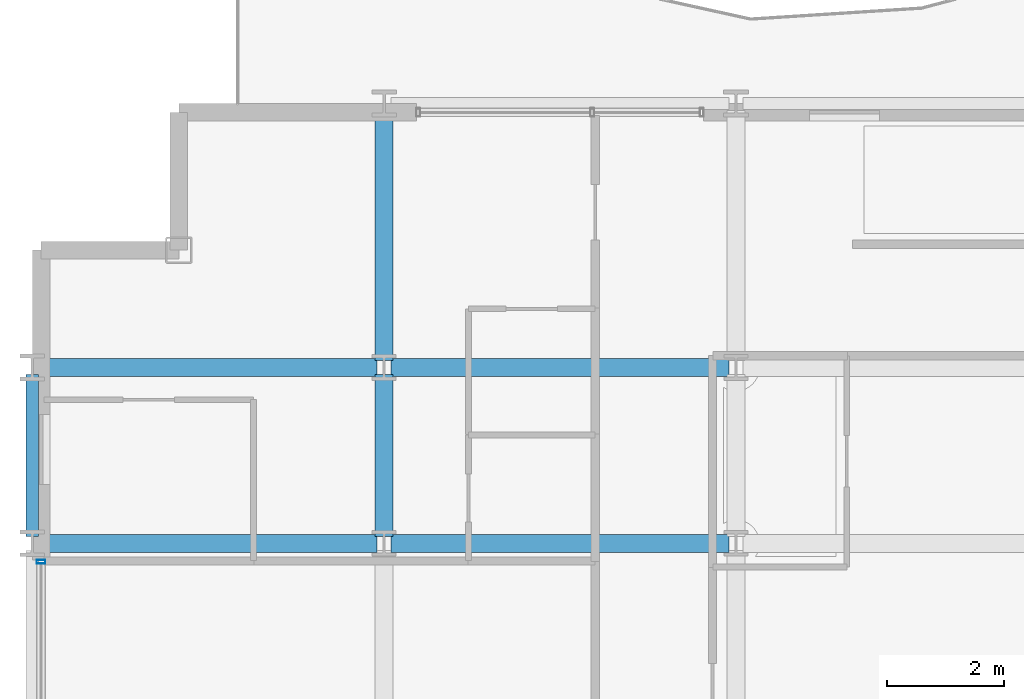
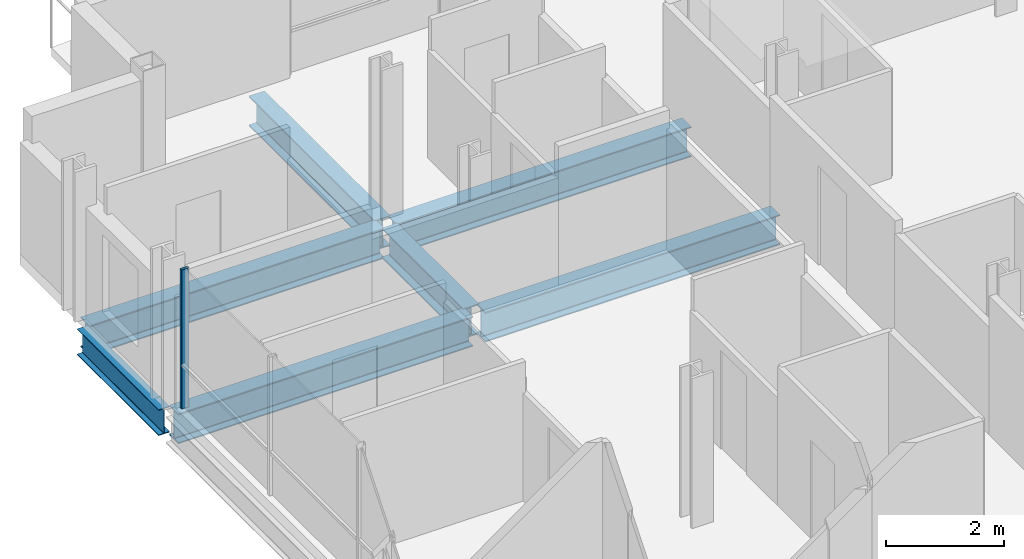
# One storey, part 7 of 41: 7 beams, 1 member, 1 element without a shape of its own.
"""IFC4 building model written with IfcOpenShell, lengths in metres."""

import ifcopenshell
import ifcopenshell.guid

model = None  # the IFC model being written
_history = None  # IfcOwnerHistory: only IFC2X3 demands one
_inside = {}  # id of a spatial element -> (the spatial element, [elements in it])
_under = {}  # id of a project, library or spatial element -> (it, [spatial elements below it])
_declared = {}  # id of a project -> (the project, [libraries it declares])
_typed = {}  # id of a type object -> (the type object, [elements of that type])
_made_of = {}  # id of a material, layer set ... -> (it, [elements and type objects made of it])


def new_model(schema):
    """Start an empty IFC model of exactly this schema.

    Asked for "IFC4X3", IfcOpenShell would pick the latest addendum, in which some entities
    have other attributes; the version numbers below select the first issue.
    IFC2X3 requires an IfcOwnerHistory on every rooted entity: one is made here for all.
    """
    global model, _history
    if schema == "IFC4X3":
        model = ifcopenshell.file(schema_version=(4, 3, 0, 0))
    else:
        model = ifcopenshell.file(schema=schema)
    _inside.clear()
    _under.clear()
    _declared.clear()
    _typed.clear()
    _made_of.clear()
    _history = None
    if model.schema == "IFC2X3":
        org = make("IfcOrganization", Name="unknown")
        user = make(
            "IfcPersonAndOrganization",
            ThePerson=make("IfcPerson", FamilyName="unknown"),
            TheOrganization=org,
        )
        app = make(
            "IfcApplication",
            ApplicationDeveloper=org,
            Version="unknown",
            ApplicationFullName="unknown",
            ApplicationIdentifier="unknown",
        )
        _history = make(
            "IfcOwnerHistory",
            OwningUser=user,
            OwningApplication=app,
            ChangeAction="ADDED",
            CreationDate=0,
        )
    return model


def make(cls, **values):
    """One entity of the class cls with the attributes given. An attribute that is None is left unset."""
    return model.create_entity(
        cls, **{name: value for name, value in values.items() if value is not None}
    )


def rooted(cls, **values):
    """An entity with a GlobalId (a new one), such as an element, a storey or a relation."""
    return make(cls, GlobalId=ifcopenshell.guid.new(), OwnerHistory=_history, **values)


def si_unit(unit_type, name, prefix=None):
    """IfcSIUnit, for example si_unit("LENGTHUNIT", "METRE", prefix="MILLI")."""
    return make("IfcSIUnit", UnitType=unit_type, Prefix=prefix, Name=name)


def assignment(units):
    """IfcUnitAssignment: the units of a project."""
    return None if units is None else make("IfcUnitAssignment", Units=units)


def point(xyz):
    """IfcCartesianPoint."""
    return None if xyz is None else make("IfcCartesianPoint", Coordinates=xyz)


def direction(xyz):
    """IfcDirection."""
    return None if xyz is None else make("IfcDirection", DirectionRatios=xyz)


def frame(location, z_axis=None, x_axis=None):
    """IfcAxis2Placement3D, a coordinate frame: its origin and axes. An axis left out is left unset."""
    return make(
        "IfcAxis2Placement3D",
        Location=point(location),
        Axis=direction(z_axis),
        RefDirection=direction(x_axis),
    )


def frame_2d(location, x_axis=None):
    """IfcAxis2Placement2D, a coordinate frame in the plane: its origin and x axis."""
    return make(
        "IfcAxis2Placement2D", Location=point(location), RefDirection=direction(x_axis)
    )


def origin():
    """The frame at (0, 0, 0) with its axes left unset."""
    return frame((0.0, 0.0, 0.0))


def origin_2d():
    """The frame at (0, 0) in the plane with its x axis left unset."""
    return frame_2d((0.0, 0.0))


def place(relative_to, where):
    """IfcLocalPlacement: puts the frame where relative to a parent placement (None: the world)."""
    return make(
        "IfcLocalPlacement", PlacementRelTo=relative_to, RelativePlacement=where
    )


def context(
    kind, dimensions, precision=None, world=None, true_north=None, identifier=None
):
    """IfcGeometricRepresentationContext, for example the 3D "Model" context."""
    return make(
        "IfcGeometricRepresentationContext",
        ContextIdentifier=identifier,
        ContextType=kind,
        CoordinateSpaceDimension=dimensions,
        Precision=precision,
        WorldCoordinateSystem=world,
        TrueNorth=true_north,
    )


def subcontext(parent, identifier, kind, view, scale=None):
    """IfcGeometricRepresentationSubContext, for example "Body" below "Model"."""
    return make(
        "IfcGeometricRepresentationSubContext",
        ContextIdentifier=identifier,
        ContextType=kind,
        ParentContext=parent,
        TargetScale=scale,
        TargetView=view,
    )


def project(units=None, contexts=None):
    """IfcProject with its units and contexts."""
    return rooted(
        "IfcProject",
        Name="project",
        RepresentationContexts=contexts,
        UnitsInContext=assignment(units),
    )


def spatial(cls, under=None, at=None, **own):
    """A site, building, storey or space (cls), placed at a placement, below another one or the project."""
    s = rooted(cls, ObjectPlacement=at, **own)
    if under is not None:
        _under.setdefault(under.id(), (under, []))[1].append(s)
    return s


def profile(cls, at=None, kind="AREA", **sizes):
    """A parametric profile (cls). Its sizes go by their IFC names, for example OverallWidth=200.0."""
    return make(cls, ProfileType=kind, Position=at, **sizes)


def hollow_rectangle(**sizes):
    """IfcRectangleHollowProfileDef."""
    return profile("IfcRectangleHollowProfileDef", **sizes)


def i_section(**sizes):
    """IfcIShapeProfileDef."""
    return profile("IfcIShapeProfileDef", **sizes)


def extrude(swept, where, along, depth):
    """IfcExtrudedAreaSolid: the profile swept, set in the frame where, extruded along a direction by depth."""
    return make(
        "IfcExtrudedAreaSolid",
        SweptArea=swept,
        Position=where,
        ExtrudedDirection=direction(along),
        Depth=depth,
    )


def shape(context_of_items, identifier, shape_type, items):
    """IfcShapeRepresentation: the items that make up one representation, for example the "Body"."""
    return make(
        "IfcShapeRepresentation",
        ContextOfItems=context_of_items,
        RepresentationIdentifier=identifier,
        RepresentationType=shape_type,
        Items=items,
    )


def material(Name=None, Category=None):
    """IfcMaterial."""
    return make("IfcMaterial", Name=Name, Category=Category)


def layer(
    of_material, thickness, ventilated=None, Name=None, Category=None, Priority=None
):
    """IfcMaterialLayer: one layer of a wall or slab, of a material (None: an air gap)."""
    return make(
        "IfcMaterialLayer",
        Material=of_material,
        LayerThickness=thickness,
        IsVentilated=ventilated,
        Name=Name,
        Category=Category,
        Priority=Priority,
    )


def layer_set(layers, Name=None):
    """IfcMaterialLayerSet."""
    return make("IfcMaterialLayerSet", MaterialLayers=layers, LayerSetName=Name)


def material_profile(
    of_material, cross_section, Name=None, Category=None, Priority=None
):
    """IfcMaterialProfile: a cross section and its material."""
    return make(
        "IfcMaterialProfile",
        Name=Name,
        Material=of_material,
        Profile=cross_section,
        Priority=Priority,
        Category=Category,
    )


def profile_set(profiles, Name=None, composite=None):
    """IfcMaterialProfileSet."""
    return make(
        "IfcMaterialProfileSet",
        Name=Name,
        MaterialProfiles=profiles,
        CompositeProfile=composite,
    )


def made_of(thing, what):
    """Note that an element or type object is made of a material, layer set ...; save() writes the relation."""
    if what is not None:
        _made_of.setdefault(what.id(), (what, []))[1].append(thing)
    return thing


def type_object(cls, material=None, **own):
    """A type object (cls), such as IfcWallType, which elements share."""
    return made_of(rooted(cls, **own), material)


def element(
    cls,
    number,
    at=None,
    inside=None,
    cuts=None,
    type_object=None,
    material=None,
    context=None,
    identifier="Body",
    shape_type=None,
    held_by="IfcProductDefinitionShape",
    body=None,
    shapes=None,
    **own,
):
    """One element of the class cls, such as IfcWall. Its Tag is "e" and its number.

    at: its placement. inside: the storey or other place that contains it. cuts: it is an
    opening in that element (IfcRelVoidsElement). A single representation is given by context,
    identifier, shape_type and body (its items); several are given by shapes. held_by: the class
    of the entity that holds the representations. save() writes the other relations.
    """
    e = rooted(cls, Tag="e%d" % number, ObjectPlacement=at, **own)
    if body is not None:
        shapes = [shape(context, identifier, shape_type, body)]
    if shapes is not None:
        e.Representation = make(held_by, Representations=shapes)
    if inside is not None:
        _inside.setdefault(inside.id(), (inside, []))[1].append(e)
    if cuts is not None:
        rooted(
            "IfcRelVoidsElement", RelatingBuildingElement=cuts, RelatedOpeningElement=e
        )
    if type_object is not None:
        _typed.setdefault(type_object.id(), (type_object, []))[1].append(e)
    return made_of(e, material)


def aggregate(whole, parts):
    """IfcRelAggregates: a whole, such as a stair, and the parts it consists of."""
    return rooted("IfcRelAggregates", RelatingObject=whole, RelatedObjects=parts)


def save(model, path):
    """Write the relations noted so far, then the file.

    IfcRelAggregates (storeys below a building ...), IfcRelContainedInSpatialStructure (elements
    in a storey), IfcRelDefinesByType, IfcRelAssociatesMaterial and IfcRelDeclares: one each for
    every whole, place, type object, material and project.
    """
    for whole, parts in _under.values():
        aggregate(whole, parts)
    for where, things in _inside.values():
        rooted(
            "IfcRelContainedInSpatialStructure",
            RelatedElements=things,
            RelatingStructure=where,
        )
    for kind, things in _typed.values():
        rooted("IfcRelDefinesByType", RelatedObjects=things, RelatingType=kind)
    for what, things in _made_of.values():
        rooted("IfcRelAssociatesMaterial", RelatedObjects=things, RelatingMaterial=what)
    for by, libraries in _declared.values():
        rooted("IfcRelDeclares", RelatingContext=by, RelatedDefinitions=libraries)
    model.write(path)


model = new_model("IFC4")

# Units and contexts
model_context = context("Model", 3, precision=1e-05, world=origin(), true_north=direction((0.0, 1.0)))
body_context = subcontext(model_context, "Body", "Model", "MODEL_VIEW")
ifc_project = project(units=[si_unit("LENGTHUNIT", "METRE"), si_unit("AREAUNIT", "SQUARE_METRE"), si_unit("VOLUMEUNIT", "CUBIC_METRE"), si_unit("PLANEANGLEUNIT", "RADIAN"), si_unit("MASSUNIT", "GRAM", prefix="KILO")], contexts=[model_context])

# Site, building, storey
site_placement = place(None, origin())
site = spatial("IfcSite", under=ifc_project, at=site_placement, CompositionType="ELEMENT")
building_placement = place(site_placement, origin())
building = spatial("IfcBuilding", under=site, at=building_placement, Name="Brevholm Reach", CompositionType="ELEMENT")
storey_placement = place(building_placement, frame((0.0, 0.0, 74.5)))
storey = spatial("IfcBuildingStorey", under=building, at=storey_placement, Name="L21", CompositionType="ELEMENT", Elevation=74.5)

# Beams
ifc_material_1 = material(Name="Structural Steel S355J2", Category="steel")
ifc_material_profile_1 = material_profile(ifc_material_1, i_section(OverallWidth=0.210693359375, OverallDepth=0.53955078125, WebThickness=0.01171875, FlangeThickness=0.018798828125, FilletRadius=0.0126953125, at=origin_2d()), Name="UKB 533x210x109")
ifc_profile_set_1 = profile_set([ifc_material_profile_1], Name="Structural Steel S355J2")
beam_type_1 = type_object("IfcBeamType", Name="BM-SP539", PredefinedType="SPANDREL", material=ifc_profile_set_1)
beam_1_placement = place(storey_placement, frame((0.0, 23.6201171875, -0.499755859375), z_axis=(0.0, 1.0, 0.0), x_axis=(-1.0, 0.0, 0.0)))
element("IfcBeam", 1, at=beam_1_placement, inside=storey, type_object=beam_type_1, Name="L21 SP-01B Framing Beam", PredefinedType="SPANDREL", context=body_context, shape_type="SweptSolid", body=[
    extrude(i_section(OverallWidth=0.210693359375, OverallDepth=0.53955078125, WebThickness=0.01171875, FlangeThickness=0.018798828125, FilletRadius=0.0126953125, at=origin_2d()), origin(), (0.0, 0.0, 1.0), 2.759765625),
])
ifc_material_2 = material(Name="Structural Steel S355J2", Category="steel")
ifc_material_profile_2 = material_profile(ifc_material_2, i_section(OverallWidth=0.30712890625, OverallDepth=0.6201171875, WebThickness=0.01416015625, FlangeThickness=0.023681640625, FilletRadius=0.0166015625, at=origin_2d()), Name="UKB 610x305x179")
ifc_profile_set_2 = profile_set([ifc_material_profile_2], Name="Structural Steel S355J2")
beam_type_2 = type_object("IfcBeamType", Name="BM-UKB610H", PredefinedType="USERDEFINED", material=ifc_profile_set_2)
for number, where, z_axis, x_axis, name in (
    (2, (0.1201171875, 23.5, -0.5400390625), (1.0, 0.0, 0.0), (0.0, 1.0, 0.0), "L21 G-06 Framing Beam"),
    (3, (6.1201171875, 23.5, -0.5400390625), (1.0, 0.0, 0.0), (0.0, 1.0, 0.0), "L21 G-06 Framing Beam"),
    (4, (0.1201171875, 26.5, -0.5400390625), (1.0, 0.0, 0.0), (0.0, 1.0, 0.0), "L21 G-06 Framing Beam"),
    (5, (6.1201171875, 26.5, -0.5400390625), (1.0, 0.0, 0.0), (0.0, 1.0, 0.0), "L21 G-06 Framing Beam"),
):
    element("IfcBeam", number, at=place(storey_placement, frame(where, z_axis=z_axis, x_axis=x_axis)), inside=storey, type_object=beam_type_2, Name=name, ObjectType="GIRDER", PredefinedType="USERDEFINED", context=body_context, shape_type="SweptSolid", body=[
        extrude(i_section(OverallWidth=0.30712890625, OverallDepth=0.6201171875, WebThickness=0.01416015625, FlangeThickness=0.023681640625, FilletRadius=0.0166015625, at=origin_2d()), origin(), (0.0, 0.0, 1.0), 5.759765625),
    ])
beam_2_placement = place(storey_placement, frame((6.0, 23.6201171875, -0.5400390625), z_axis=(0.0, 1.0, 0.0), x_axis=(-1.0, 0.0, 0.0)))
element("IfcBeam", 6, at=beam_2_placement, inside=storey, type_object=beam_type_2, Name="L21 G-06 Framing Beam", ObjectType="GIRDER", PredefinedType="USERDEFINED", context=body_context, shape_type="SweptSolid", body=[
    extrude(i_section(OverallWidth=0.30712890625, OverallDepth=0.6201171875, WebThickness=0.01416015625, FlangeThickness=0.023681640625, FilletRadius=0.0166015625, at=origin_2d()), origin(), (0.0, 0.0, 1.0), 2.759765625),
])
beam_3_placement = place(storey_placement, frame((6.0, 26.6201171875, -0.5400390625), z_axis=(0.0, 1.0, 0.0), x_axis=(-1.0, 0.0, 0.0)))
element("IfcBeam", 7, at=beam_3_placement, inside=storey, type_object=beam_type_2, Name="L21 G-06 Framing Beam", ObjectType="GIRDER", PredefinedType="USERDEFINED", context=body_context, shape_type="SweptSolid", body=[
    extrude(i_section(OverallWidth=0.30712890625, OverallDepth=0.6201171875, WebThickness=0.01416015625, FlangeThickness=0.023681640625, FilletRadius=0.0166015625, at=origin_2d()), origin(), (0.0, 0.0, 1.0), 4.259765625),
])

# Curtain wall, member
ifc_material_3 = material(Name="Dark Anodised Aluminium 6063-T6 and Solar-Control Glass", Category="aluminium")
ifc_layer = layer(ifc_material_3, 0.14990234375)
ifc_layer_set = layer_set([ifc_layer], Name="Dark Anodised Aluminium 6063-T6 and Solar-Control Glass")
curtain_wall_type = type_object("IfcCurtainWallType", Name="CW-01", PredefinedType="NOTDEFINED", material=ifc_layer_set)
curtain_wall_placement = place(storey_placement, origin())
curtain_wall = element("IfcCurtainWall", 8, at=curtain_wall_placement, inside=storey, type_object=curtain_wall_type, Name="L21 Curtain Wall CW-01", PredefinedType="NOTDEFINED")
ifc_material_4 = material(Name="Dark Anodised Aluminium 6063-T6", Category="aluminium")
ifc_material_profile_3 = material_profile(ifc_material_4, hollow_rectangle(XDim=0.06494140625, YDim=0.14990234375, WallThickness=0.0048828125, InnerFilletRadius=0.0048828125, OuterFilletRadius=0.010009765625, at=origin_2d()), Name="RHS 150x65x5")
ifc_profile_set_3 = profile_set([ifc_material_profile_3], Name="Dark Anodised Aluminium 6063-T6")
member_type = type_object("IfcMemberType", Name="CWM-150", PredefinedType="MULLION", material=ifc_profile_set_3)
member_placement = place(storey_placement, frame((0.14990234375, 23.1875, 0.0), z_axis=(0.0, 0.0, 1.0), x_axis=(0.0, -1.0, 0.0)))
member = element("IfcMember", 9, at=member_placement, type_object=member_type, Name="CM-150 Mullion 1", PredefinedType="MULLION", context=body_context, shape_type="SweptSolid", body=[
    extrude(hollow_rectangle(XDim=0.06494140625, YDim=0.14990234375, WallThickness=0.0048828125, InnerFilletRadius=0.0048828125, OuterFilletRadius=0.010009765625, at=origin_2d()), origin(), (0.0, 0.0, 1.0), 2.8701171875),
])
aggregate(curtain_wall, [member])

save(model, "model.ifc")
